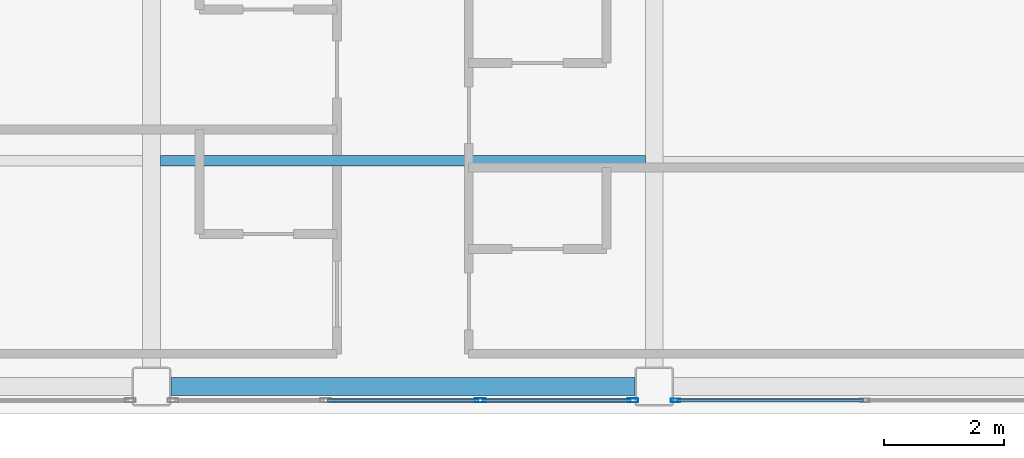
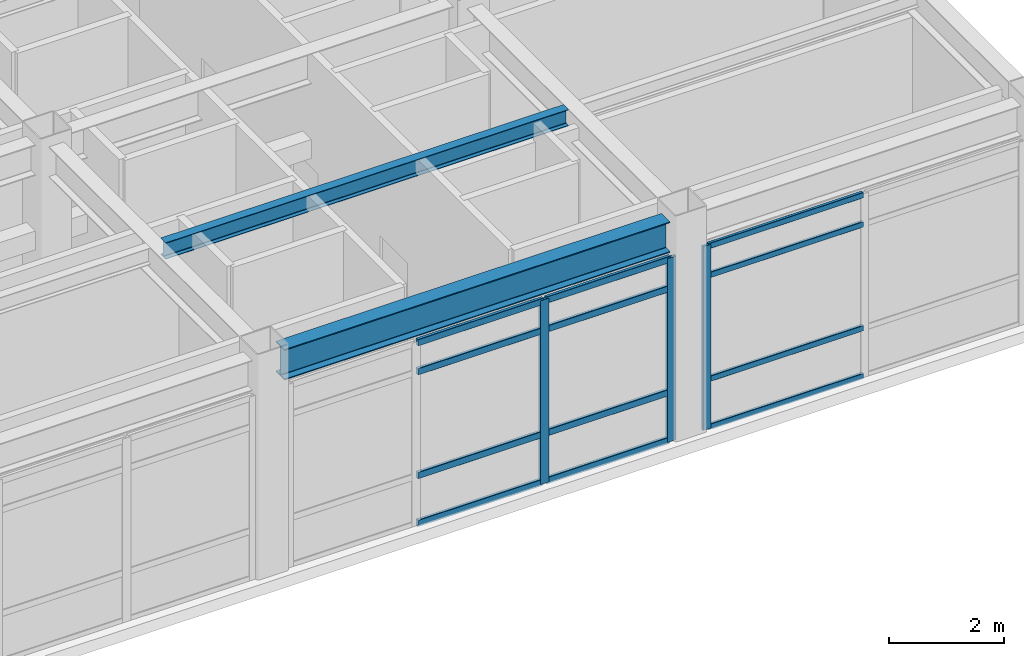
# One storey, part 19 of 61: 15 members, 2 beams, 2 elements without a shape of their own.
"""IFC4 building model written with IfcOpenShell, lengths in metres."""

from ifc_helpers import new_model, si_unit, direction, frame, origin, origin_2d, place, context, subcontext, project, spatial, hollow_rectangle, i_section, extrude, material, layer, layer_set, material_profile, profile_set, type_object, element, aggregate, save


model = new_model("IFC4")

# Units and contexts
model_context = context("Model", 3, precision=1e-05, world=origin(), true_north=direction((0.0, 1.0)))
body_context = subcontext(model_context, "Body", "Model", "MODEL_VIEW")
ifc_project = project(units=[si_unit("LENGTHUNIT", "METRE"), si_unit("AREAUNIT", "SQUARE_METRE"), si_unit("VOLUMEUNIT", "CUBIC_METRE"), si_unit("PLANEANGLEUNIT", "RADIAN"), si_unit("MASSUNIT", "GRAM", prefix="KILO")], contexts=[model_context])

# Site, building, storey
site_placement = place(None, origin())
site = spatial("IfcSite", under=ifc_project, at=site_placement, CompositionType="ELEMENT")
building_placement = place(site_placement, origin())
building = spatial("IfcBuilding", under=site, at=building_placement, Name="Kazehara Bluff Congress Hotel", CompositionType="ELEMENT")
storey_placement = place(building_placement, frame((0.0, 0.0, 19.800048828125)))
storey = spatial("IfcBuildingStorey", under=building, at=storey_placement, Name="L04", CompositionType="ELEMENT", Elevation=19.800048828125)

# Curtain wall, member
ifc_material_1 = material(Name="Anodised aluminium", Category="aluminium")
ifc_layer_1 = layer(ifc_material_1, 0.159912109375)
ifc_layer_set_1 = layer_set([ifc_layer_1], Name="Anodised aluminium")
curtain_wall_type_1 = type_object("IfcCurtainWallType", Name="TP-CW-159", PredefinedType="NOTDEFINED", material=ifc_layer_set_1)
curtain_wall_1_placement = place(storey_placement, origin())
curtain_wall_1 = element("IfcCurtainWall", 1, at=curtain_wall_1_placement, inside=storey, type_object=curtain_wall_type_1, Name="L04 curtain wall CW-159 CW-ENC-V5-L04-16402-22", PredefinedType="NOTDEFINED")
ifc_material_2 = material(Name="Anodised aluminium", Category="aluminium")
ifc_material_profile_1 = material_profile(ifc_material_2, hollow_rectangle(XDim=0.06005859375, YDim=0.159912109375, WallThickness=0.00390625, InnerFilletRadius=0.00390625, OuterFilletRadius=0.008056640625, at=origin_2d()))
ifc_profile_set_1 = profile_set([ifc_material_profile_1], Name="Anodised aluminium")
member_type_1 = type_object("IfcMemberType", Name="TP-CWM-01", PredefinedType="MULLION", material=ifc_profile_set_1)
member_1_placement = place(storey_placement, frame((160.85498046875, 0.219970703125, 0.0), z_axis=(0.0, 0.0, 1.0), x_axis=(0.0, -1.0, 0.0)))
member_1 = element("IfcMember", 2, at=member_1_placement, type_object=member_type_1, Name="CW-159 mullion 3", PredefinedType="MULLION", context=body_context, shape_type="SweptSolid", body=[
    extrude(hollow_rectangle(XDim=0.06005859375, YDim=0.159912109375, WallThickness=0.00390625, InnerFilletRadius=0.00390625, OuterFilletRadius=0.008056640625, at=origin_2d()), origin(), (0.0, 0.0, 1.0), 3.905029296875),
])

# Curtain wall, members
ifc_material_3 = material(Name="Anodised aluminium", Category="aluminium")
ifc_layer_2 = layer(ifc_material_3, 0.159912109375)
ifc_layer_set_2 = layer_set([ifc_layer_2], Name="Anodised aluminium")
curtain_wall_type_2 = type_object("IfcCurtainWallType", Name="TP-CW-158", PredefinedType="NOTDEFINED", material=ifc_layer_set_2)
curtain_wall_2_placement = place(storey_placement, origin())
curtain_wall_2 = element("IfcCurtainWall", 3, at=curtain_wall_2_placement, inside=storey, type_object=curtain_wall_type_2, Name="L04 curtain wall CW-158 CW-ENC-V5-L04-15630-22", PredefinedType="NOTDEFINED")
ifc_material_4 = material(Name="Anodised aluminium", Category="aluminium")
ifc_material_profile_2 = material_profile(ifc_material_4, hollow_rectangle(XDim=0.06494140625, YDim=0.179931640625, WallThickness=0.00390625, InnerFilletRadius=0.00390625, OuterFilletRadius=0.008056640625, at=origin_2d()))
ifc_profile_set_2 = profile_set([ifc_material_profile_2], Name="Anodised aluminium")
member_type_2 = type_object("IfcMemberType", Name="TP-CWM-02", PredefinedType="MULLION", material=ifc_profile_set_2)
member_2_placement = place(storey_placement, frame((160.142578125, 0.219970703125, 0.0), z_axis=(0.0, 0.0, 1.0), x_axis=(0.0, -1.0, 0.0)))
member_2 = element("IfcMember", 4, at=member_2_placement, type_object=member_type_2, Name="CW-158 mullion 1", PredefinedType="MULLION", context=body_context, shape_type="SweptSolid", body=[
    extrude(hollow_rectangle(XDim=0.06494140625, YDim=0.179931640625, WallThickness=0.00390625, InnerFilletRadius=0.00390625, OuterFilletRadius=0.008056640625, at=origin_2d()), origin(), (0.0, 0.0, 1.0), 3.905029296875),
])
member_3_placement = place(storey_placement, frame((157.591552734375, 0.219970703125, 0.0), z_axis=(0.0, 0.0, 1.0), x_axis=(0.0, -1.0, 0.0)))
member_3 = element("IfcMember", 5, at=member_3_placement, type_object=member_type_2, Name="CW-158 mullion 2", PredefinedType="MULLION", context=body_context, shape_type="SweptSolid", body=[
    extrude(hollow_rectangle(XDim=0.06494140625, YDim=0.179931640625, WallThickness=0.00390625, InnerFilletRadius=0.00390625, OuterFilletRadius=0.008056640625, at=origin_2d()), origin(), (0.0, 0.0, 1.0), 3.905029296875),
])

# Member
ifc_material_5 = material(Name="Anodised aluminium", Category="aluminium")
ifc_material_profile_3 = material_profile(ifc_material_5, hollow_rectangle(XDim=0.06005859375, YDim=0.1201171875, WallThickness=0.00390625, InnerFilletRadius=0.00390625, OuterFilletRadius=0.008056640625, at=origin_2d()))
ifc_profile_set_3 = profile_set([ifc_material_profile_3], Name="Anodised aluminium")
member_type_3 = type_object("IfcMemberType", Name="TP-CWT-01", PredefinedType="USERDEFINED", material=ifc_profile_set_3)
member_4_placement = place(storey_placement, frame((163.9951171875, 0.219970703125, 0.030029296875), z_axis=(-1.0, 0.0, 0.0), x_axis=(0.0, -1.0, 0.0)))
member_4 = element("IfcMember", 6, at=member_4_placement, type_object=member_type_3, Name="CW-159 transom 2.1", ObjectType="TRANSOM", PredefinedType="USERDEFINED", context=body_context, shape_type="SweptSolid", body=[
    extrude(hollow_rectangle(XDim=0.06005859375, YDim=0.1201171875, WallThickness=0.00390625, InnerFilletRadius=0.00390625, OuterFilletRadius=0.008056640625, at=origin_2d()), origin(), (0.0, 0.0, 1.0), 3.110107421875),
])

member_5_placement = place(storey_placement, frame((163.9951171875, 0.219970703125, 1.050048828125), z_axis=(-1.0, 0.0, 0.0), x_axis=(0.0, -1.0, 0.0)))
member_5 = element("IfcMember", 7, at=member_5_placement, type_object=member_type_3, Name="CW-159 transom 2.2", ObjectType="TRANSOM", PredefinedType="USERDEFINED", context=body_context, shape_type="SweptSolid", body=[
    extrude(hollow_rectangle(XDim=0.06005859375, YDim=0.1201171875, WallThickness=0.00390625, InnerFilletRadius=0.00390625, OuterFilletRadius=0.008056640625, at=origin_2d()), origin(), (0.0, 0.0, 1.0), 3.110107421875),
])

member_6_placement = place(storey_placement, frame((163.9951171875, 0.219970703125, 3.2548828125), z_axis=(-1.0, 0.0, 0.0), x_axis=(0.0, -1.0, 0.0)))
member_6 = element("IfcMember", 8, at=member_6_placement, type_object=member_type_3, Name="CW-159 transom 2.3", ObjectType="TRANSOM", PredefinedType="USERDEFINED", context=body_context, shape_type="SweptSolid", body=[
    extrude(hollow_rectangle(XDim=0.06005859375, YDim=0.1201171875, WallThickness=0.00390625, InnerFilletRadius=0.00390625, OuterFilletRadius=0.008056640625, at=origin_2d()), origin(), (0.0, 0.0, 1.0), 3.110107421875),
])

member_7_placement = place(storey_placement, frame((163.9951171875, 0.219970703125, 3.875), z_axis=(-1.0, 0.0, 0.0), x_axis=(0.0, -1.0, 0.0)))
member_7 = element("IfcMember", 9, at=member_7_placement, type_object=member_type_3, Name="CW-159 transom 2.4", ObjectType="TRANSOM", PredefinedType="USERDEFINED", context=body_context, shape_type="SweptSolid", body=[
    extrude(hollow_rectangle(XDim=0.06005859375, YDim=0.1201171875, WallThickness=0.00390625, InnerFilletRadius=0.00390625, OuterFilletRadius=0.008056640625, at=origin_2d()), origin(), (0.0, 0.0, 1.0), 3.110107421875),
])

aggregate(curtain_wall_1, [member_1, member_4, member_5, member_6, member_7])

ifc_material_6 = material(Name="Anodised aluminium", Category="aluminium")
ifc_material_profile_4 = material_profile(ifc_material_6, hollow_rectangle(XDim=0.06494140625, YDim=0.139892578125, WallThickness=0.00390625, InnerFilletRadius=0.00390625, OuterFilletRadius=0.008056640625, at=origin_2d()))
ifc_profile_set_4 = profile_set([ifc_material_profile_4], Name="Anodised aluminium")
member_type_4 = type_object("IfcMemberType", Name="TP-CWT-02", PredefinedType="USERDEFINED", material=ifc_profile_set_4)
member_8_placement = place(storey_placement, frame((160.110107421875, 0.219970703125, 0.032470703125), z_axis=(-1.0, 0.0, 0.0), x_axis=(0.0, -1.0, 0.0)))
member_8 = element("IfcMember", 10, at=member_8_placement, type_object=member_type_4, Name="CW-158 transom 1.1", ObjectType="TRANSOM", PredefinedType="USERDEFINED", context=body_context, shape_type="SweptSolid", body=[
    extrude(hollow_rectangle(XDim=0.06494140625, YDim=0.139892578125, WallThickness=0.00390625, InnerFilletRadius=0.00390625, OuterFilletRadius=0.008056640625, at=origin_2d()), origin(), (0.0, 0.0, 1.0), 2.48583984375),
])

member_9_placement = place(storey_placement, frame((160.110107421875, 0.219970703125, 1.050048828125), z_axis=(-1.0, 0.0, 0.0), x_axis=(0.0, -1.0, 0.0)))
member_9 = element("IfcMember", 11, at=member_9_placement, type_object=member_type_4, Name="CW-158 transom 1.2", ObjectType="TRANSOM", PredefinedType="USERDEFINED", context=body_context, shape_type="SweptSolid", body=[
    extrude(hollow_rectangle(XDim=0.06494140625, YDim=0.139892578125, WallThickness=0.00390625, InnerFilletRadius=0.00390625, OuterFilletRadius=0.008056640625, at=origin_2d()), origin(), (0.0, 0.0, 1.0), 2.48583984375),
])

member_10_placement = place(storey_placement, frame((160.110107421875, 0.219970703125, 3.2548828125), z_axis=(-1.0, 0.0, 0.0), x_axis=(0.0, -1.0, 0.0)))
member_10 = element("IfcMember", 12, at=member_10_placement, type_object=member_type_4, Name="CW-158 transom 1.3", ObjectType="TRANSOM", PredefinedType="USERDEFINED", context=body_context, shape_type="SweptSolid", body=[
    extrude(hollow_rectangle(XDim=0.06494140625, YDim=0.139892578125, WallThickness=0.00390625, InnerFilletRadius=0.00390625, OuterFilletRadius=0.008056640625, at=origin_2d()), origin(), (0.0, 0.0, 1.0), 2.48583984375),
])

member_11_placement = place(storey_placement, frame((160.110107421875, 0.219970703125, 3.87255859375), z_axis=(-1.0, 0.0, 0.0), x_axis=(0.0, -1.0, 0.0)))
member_11 = element("IfcMember", 13, at=member_11_placement, type_object=member_type_4, Name="CW-158 transom 1.4", ObjectType="TRANSOM", PredefinedType="USERDEFINED", context=body_context, shape_type="SweptSolid", body=[
    extrude(hollow_rectangle(XDim=0.06494140625, YDim=0.139892578125, WallThickness=0.00390625, InnerFilletRadius=0.00390625, OuterFilletRadius=0.008056640625, at=origin_2d()), origin(), (0.0, 0.0, 1.0), 2.48583984375),
])

member_12_placement = place(storey_placement, frame((157.55908203125, 0.219970703125, 0.032470703125), z_axis=(-1.0, 0.0, 0.0), x_axis=(0.0, -1.0, 0.0)))
member_12 = element("IfcMember", 14, at=member_12_placement, type_object=member_type_4, Name="CW-158 transom 2.1", ObjectType="TRANSOM", PredefinedType="USERDEFINED", context=body_context, shape_type="SweptSolid", body=[
    extrude(hollow_rectangle(XDim=0.06494140625, YDim=0.139892578125, WallThickness=0.00390625, InnerFilletRadius=0.00390625, OuterFilletRadius=0.008056640625, at=origin_2d()), origin(), (0.0, 0.0, 1.0), 2.518310546875),
])

member_13_placement = place(storey_placement, frame((157.55908203125, 0.219970703125, 1.050048828125), z_axis=(-1.0, 0.0, 0.0), x_axis=(0.0, -1.0, 0.0)))
member_13 = element("IfcMember", 15, at=member_13_placement, type_object=member_type_4, Name="CW-158 transom 2.2", ObjectType="TRANSOM", PredefinedType="USERDEFINED", context=body_context, shape_type="SweptSolid", body=[
    extrude(hollow_rectangle(XDim=0.06494140625, YDim=0.139892578125, WallThickness=0.00390625, InnerFilletRadius=0.00390625, OuterFilletRadius=0.008056640625, at=origin_2d()), origin(), (0.0, 0.0, 1.0), 2.518310546875),
])

member_14_placement = place(storey_placement, frame((157.55908203125, 0.219970703125, 3.2548828125), z_axis=(-1.0, 0.0, 0.0), x_axis=(0.0, -1.0, 0.0)))
member_14 = element("IfcMember", 16, at=member_14_placement, type_object=member_type_4, Name="CW-158 transom 2.3", ObjectType="TRANSOM", PredefinedType="USERDEFINED", context=body_context, shape_type="SweptSolid", body=[
    extrude(hollow_rectangle(XDim=0.06494140625, YDim=0.139892578125, WallThickness=0.00390625, InnerFilletRadius=0.00390625, OuterFilletRadius=0.008056640625, at=origin_2d()), origin(), (0.0, 0.0, 1.0), 2.518310546875),
])

member_15_placement = place(storey_placement, frame((157.55908203125, 0.219970703125, 3.87255859375), z_axis=(-1.0, 0.0, 0.0), x_axis=(0.0, -1.0, 0.0)))
member_15 = element("IfcMember", 17, at=member_15_placement, type_object=member_type_4, Name="CW-158 transom 2.4", ObjectType="TRANSOM", PredefinedType="USERDEFINED", context=body_context, shape_type="SweptSolid", body=[
    extrude(hollow_rectangle(XDim=0.06494140625, YDim=0.139892578125, WallThickness=0.00390625, InnerFilletRadius=0.00390625, OuterFilletRadius=0.008056640625, at=origin_2d()), origin(), (0.0, 0.0, 1.0), 2.518310546875),
])

aggregate(curtain_wall_2, [member_2, member_3, member_8, member_9, member_10, member_11, member_12, member_13, member_14, member_15])

# Beams
ifc_material_7 = material(Name="Steel SN490B", Category="steel")
ifc_material_profile_5 = material_profile(ifc_material_7, i_section(OverallWidth=0.300048828125, OverallDepth=0.64990234375, WebThickness=0.011962890625, FlangeThickness=0.02001953125, FilletRadius=0.012939453125, at=origin_2d()))
ifc_profile_set_5 = profile_set([ifc_material_profile_5], Name="Steel SN490B")
beam_type_1 = type_object("IfcBeamType", Name="TP-G-03", PredefinedType="BEAM", material=ifc_profile_set_5)
beam_1_placement = place(storey_placement, frame((152.425048828125, 0.449951171875, 4.2548828125), z_axis=(1.0, 0.0, 0.0), x_axis=(0.0, 1.0, 0.0)))
element("IfcBeam", 18, at=beam_1_placement, inside=storey, type_object=beam_type_1, Name="L04 girder G-03 79", PredefinedType="BEAM", context=body_context, shape_type="SweptSolid", body=[
    extrude(i_section(OverallWidth=0.300048828125, OverallDepth=0.64990234375, WebThickness=0.011962890625, FlangeThickness=0.02001953125, FilletRadius=0.012939453125, at=origin_2d()), origin(), (0.0, 0.0, 1.0), 7.75),
])
ifc_material_8 = material(Name="Steel SN400B", Category="steel")
ifc_material_profile_6 = material_profile(ifc_material_8, i_section(OverallWidth=0.175048828125, OverallDepth=0.35009765625, WebThickness=0.007080078125, FlangeThickness=0.010986328125, FilletRadius=0.012939453125, at=origin_2d()))
ifc_profile_set_6 = profile_set([ifc_material_profile_6], Name="Steel SN400B")
beam_type_2 = type_object("IfcBeamType", Name="TP-J-02", PredefinedType="JOIST", material=ifc_profile_set_6)
beam_2_placement = place(storey_placement, frame((152.25, 4.22509765625, 4.405029296875), z_axis=(1.0, 0.0, 0.0), x_axis=(0.0, 1.0, 0.0)))
element("IfcBeam", 19, at=beam_2_placement, inside=storey, type_object=beam_type_2, Name="L04 secondary joist J-02 21", PredefinedType="JOIST", context=body_context, shape_type="SweptSolid", body=[
    extrude(i_section(OverallWidth=0.175048828125, OverallDepth=0.35009765625, WebThickness=0.007080078125, FlangeThickness=0.010986328125, FilletRadius=0.012939453125, at=origin_2d()), origin(), (0.0, 0.0, 1.0), 8.10009765625),
])

save(model, "model.ifc")
